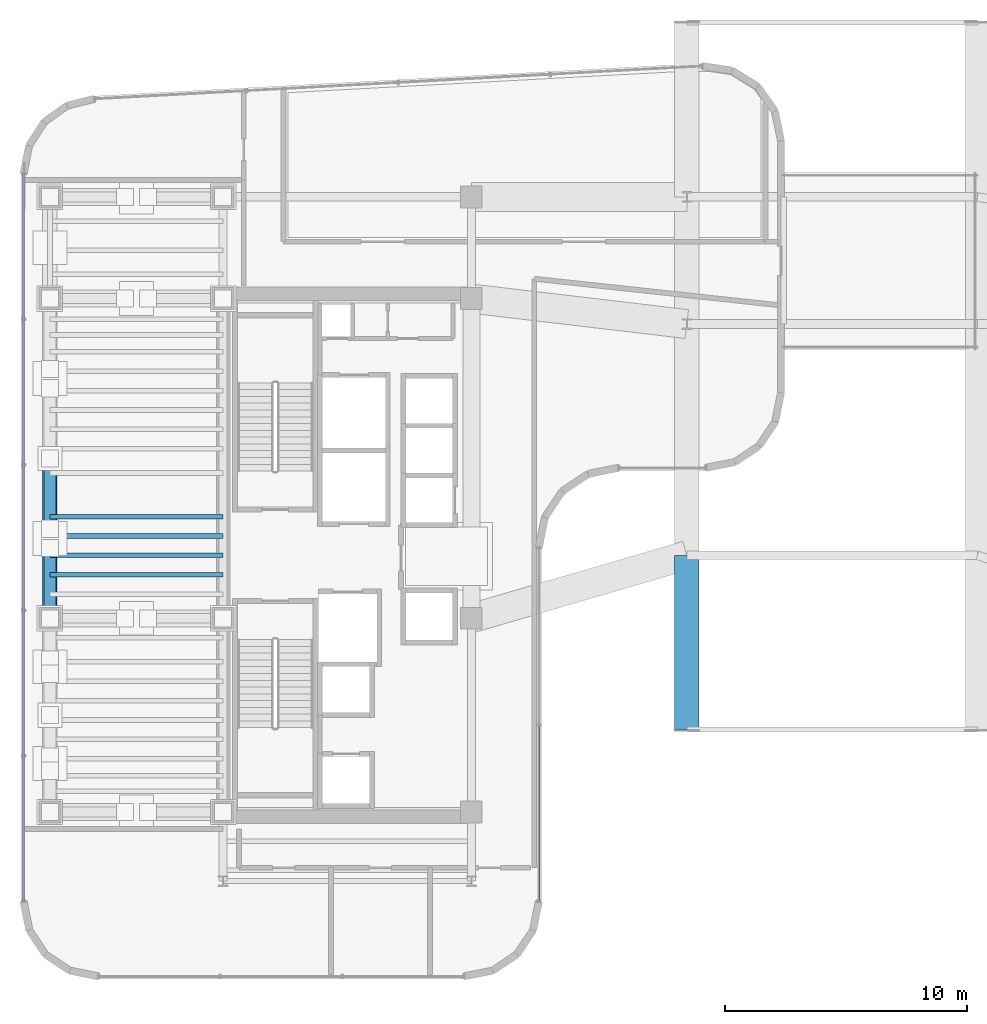
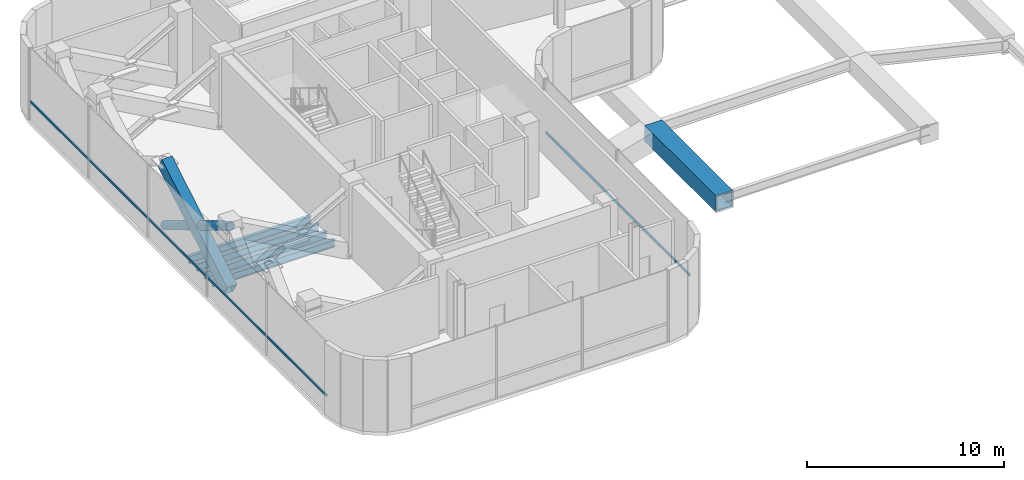
# One storey, part 6 of 20: 5 beams, 5 members, 2 elements without a shape of their own.
"""IFC4 building model written with IfcOpenShell, lengths in metres."""

from ifc_helpers import new_model, si_unit, direction, frame, origin, origin_2d, place, context, subcontext, project, spatial, hollow_rectangle, hollow_circle, i_section, extrude, source, transform, mapped, material, material_profile, profile_set, type_object, element, aggregate, save


model = new_model("IFC4")

# Units and contexts
model_context = context("Model", 3, precision=1e-05, world=origin(), true_north=direction((0.0, 1.0)))
body_context = subcontext(model_context, "Body", "Model", "MODEL_VIEW")
ifc_project = project(units=[si_unit("LENGTHUNIT", "METRE"), si_unit("AREAUNIT", "SQUARE_METRE"), si_unit("VOLUMEUNIT", "CUBIC_METRE"), si_unit("PLANEANGLEUNIT", "RADIAN"), si_unit("MASSUNIT", "GRAM", prefix="KILO")], contexts=[model_context])

# Site, building, storey
site_placement = place(None, origin())
site = spatial("IfcSite", under=ifc_project, at=site_placement, CompositionType="ELEMENT")
building_placement = place(site_placement, origin())
building = spatial("IfcBuilding", under=site, at=building_placement, Name="Valdorenza Pilgrim Sanctuary Tower", CompositionType="ELEMENT")
storey_placement = place(building_placement, frame((0.0, 0.0, 196.300048828125)))
storey = spatial("IfcBuildingStorey", under=building, at=storey_placement, Name="L50", CompositionType="ELEMENT", Elevation=196.300048828125)

# Beams
ifc_material_1 = material(Name="Steel ASTM A992 Grade 50", Category="steel")
ifc_material_profile_1 = material_profile(ifc_material_1, i_section(OverallWidth=0.19091796875, OverallDepth=0.45703125, WebThickness=0.009033203125, FlangeThickness=0.014404296875, at=origin_2d()), Name="W18X50")
ifc_profile_set_1 = profile_set([ifc_material_profile_1], Name="Steel ASTM A992 Grade 50")
beam_type_1 = type_object("IfcBeamType", Name="STR-BM-JST-W18B", PredefinedType="JOIST", material=ifc_profile_set_1)
shared_shape_1 = source(origin(), body_context, "Body", "SweptSolid", [
    extrude(i_section(OverallWidth=0.19091796875, OverallDepth=0.45703125, WebThickness=0.009033203125, FlangeThickness=0.014404296875, at=origin_2d()), origin(), (0.0, 0.0, 1.0), 7.150146484375),
])
for number, where, z_axis, x_axis, name in (
    (1, (-29.800048828125, -0.800048828125, -0.468505859375), (1.0, 0.0, 0.0), (0.0, 1.0, 0.0), "L50 Composite Floor Joist JST-WA-11"),
    (2, (-29.800048828125, 0.0, -0.468505859375), (1.0, 0.0, 0.0), (0.0, 1.0, 0.0), "L50 Composite Floor Joist JST-WA-12"),
    (3, (-29.800048828125, 0.800048828125, -0.468505859375), (1.0, 0.0, 0.0), (0.0, 1.0, 0.0), "L50 Composite Floor Joist JST-WA-13"),
    (4, (-29.800048828125, 1.60009765625, -0.468505859375), (1.0, 0.0, 0.0), (0.0, 1.0, 0.0), "L50 Composite Floor Joist JST-WA-14"),
):
    element("IfcBeam", number, at=place(storey_placement, frame(where, z_axis=z_axis, x_axis=x_axis)), inside=storey, type_object=beam_type_1, Name=name, PredefinedType="JOIST", context=body_context, shape_type="MappedRepresentation", body=[
        mapped(shared_shape_1, transform((0.0, 0.0, 0.0), x_axis=(1.0, 0.0, 0.0), y_axis=(0.0, 1.0, 0.0), z_axis=(0.0, 0.0, 1.0), scale=1.0)),
    ])
ifc_material_2 = material(Name="Steel ASTM A572 Grade 42", Category="steel")
ifc_material_profile_2 = material_profile(ifc_material_2, hollow_rectangle(XDim=1.0, YDim=1.0, WallThickness=0.080078125, at=origin_2d()), Name="BOX 1000x1000x80")
ifc_profile_set_2 = profile_set([ifc_material_profile_2], Name="Steel ASTM A572 Grade 42")
beam_type_2 = type_object("IfcBeamType", Name="STR-BM-PROW-CANT", PredefinedType="BEAM", material=ifc_profile_set_2)
shared_shape_2 = source(origin(), body_context, "Body", "SweptSolid", [
    extrude(hollow_rectangle(XDim=1.0, YDim=1.0, WallThickness=0.080078125, at=origin_2d()), origin(), (0.0, 0.0, 1.0), 7.199951171875),
])
beam_placement = place(storey_placement, frame((-3.5, 0.0, -0.739990234375), z_axis=(0.0, -1.0, 0.0), x_axis=(1.0, 0.0, 0.0)))
element("IfcBeam", 5, at=beam_placement, inside=storey, type_object=beam_type_2, Name="L50 South Sanctuary Prow Cantilever PROW-CANT-S-W", PredefinedType="BEAM", context=body_context, shape_type="MappedRepresentation", body=[
    mapped(shared_shape_2, transform((0.0, 0.0, 0.0), x_axis=(1.0, 0.0, 0.0), y_axis=(0.0, 1.0, 0.0), z_axis=(0.0, 0.0, 1.0), scale=1.0)),
])

# Members
ifc_material_profile_3 = material_profile(ifc_material_2, hollow_rectangle(XDim=0.60009765625, YDim=0.800048828125, WallThickness=0.06005859375, at=origin_2d()), Name="BOX 800x600x60")
ifc_profile_set_3 = profile_set([ifc_material_profile_3], Name="Steel ASTM A572 Grade 42")
member_type_1 = type_object("IfcMemberType", Name="STR-MB-BLT-BOX800", PredefinedType="BRACE", material=ifc_profile_set_3)
shared_shape_3 = source(origin(), body_context, "Body", "SweptSolid", [
    extrude(hollow_rectangle(XDim=0.60009765625, YDim=0.800048828125, WallThickness=0.06005859375, at=origin_2d()), origin(), (0.0, 0.0, 1.0), 7.69189453125),
])
member_1_placement = place(storey_placement, frame((-29.800048828125, -2.60009765625, 0.199951171875), z_axis=(0.0, 0.858072111864, 0.513529211284), x_axis=(-1.0, 0.0, 0.0)))
element("IfcMember", 6, at=member_1_placement, inside=storey, type_object=member_type_1, Name="L50 Perimeter Belt Truss Diagonal W3", PredefinedType="BRACE", context=body_context, shape_type="MappedRepresentation", body=[
    mapped(shared_shape_3, transform((0.0, 0.0, 0.0), x_axis=(1.0, 0.0, 0.0), y_axis=(0.0, 1.0, 0.0), z_axis=(0.0, 0.0, 1.0), scale=1.0)),
])
ifc_material_3 = material(Name="Steel S355J2", Category="steel")
ifc_material_profile_4 = material_profile(ifc_material_3, hollow_circle(Radius=0.25390625, WallThickness=0.02001953125, at=origin_2d()), Name="CHS 508x20")
ifc_profile_set_4 = profile_set([ifc_material_profile_4], Name="Steel S355J2")
member_type_2 = type_object("IfcMemberType", Name="STR-MB-CHS-508", PredefinedType="STRUT", material=ifc_profile_set_4)
shared_shape_4 = source(origin(), body_context, "Body", "SweptSolid", [
    extrude(hollow_circle(Radius=0.25390625, WallThickness=0.02001953125, at=origin_2d()), origin(), (0.0, 0.0, 1.0), 3.380126953125),
])
member_2_placement = place(storey_placement, frame((-29.800048828125, -2.60009765625, 4.14990234375), z_axis=(0.0, 0.858097793113, -0.513486297242), x_axis=(-1.0, 0.0, 0.0)))
element("IfcMember", 7, at=member_2_placement, inside=storey, type_object=member_type_2, Name="L50 Perimeter Counter-Belt Strut CW3 Lower Segment", PredefinedType="STRUT", context=body_context, shape_type="MappedRepresentation", body=[
    mapped(shared_shape_4, transform((0.0, 0.0, 0.0), x_axis=(1.0, 0.0, 0.0), y_axis=(0.0, 1.0, 0.0), z_axis=(0.0, 0.0, 1.0), scale=1.0)),
])
shared_shape_5 = source(origin(), body_context, "Body", "SweptSolid", [
    extrude(hollow_circle(Radius=0.25390625, WallThickness=0.02001953125, at=origin_2d()), origin(), (0.0, 0.0, 1.0), 3.3798828125),
])
member_3_placement = place(storey_placement, frame((-29.800048828125, 1.099853515625, 1.935546875), z_axis=(0.0, 0.85807874647, -0.51351812515), x_axis=(-1.0, 0.0, 0.0)))
element("IfcMember", 8, at=member_3_placement, inside=storey, type_object=member_type_2, Name="L50 Perimeter Counter-Belt Strut CW3 Upper Segment", PredefinedType="STRUT", context=body_context, shape_type="MappedRepresentation", body=[
    mapped(shared_shape_5, transform((0.0, 0.0, 0.0), x_axis=(1.0, 0.0, 0.0), y_axis=(0.0, 1.0, 0.0), z_axis=(0.0, 0.0, 1.0), scale=1.0)),
])

# Curtain wall, member
ifc_material_4 = material(Name="Curtain-wall IGU glazing", Category="glass")
curtain_wall_type = type_object("IfcCurtainWallType", Name="CW-SYS-02", PredefinedType="NOTDEFINED", material=ifc_material_4)
curtain_wall_1_placement = place(storey_placement, origin())
curtain_wall_1 = element("IfcCurtainWall", 9, at=curtain_wall_1_placement, inside=storey, type_object=curtain_wall_type, Name="L50 Curtain Wall CW-L50-1-1", PredefinedType="NOTDEFINED")
ifc_material_5 = material(Name="Anodised aluminium AW-6060", Category="aluminium")
ifc_material_profile_5 = material_profile(ifc_material_5, hollow_rectangle(XDim=0.074951171875, YDim=0.14990234375, WallThickness=0.00390625, at=origin_2d()), Name="ALU-T 150x75x4")
ifc_profile_set_5 = profile_set([ifc_material_profile_5], Name="Anodised aluminium AW-6060")
member_type_3 = type_object("IfcMemberType", Name="CW-TRN-02", PredefinedType="USERDEFINED", material=ifc_profile_set_5)
shared_shape_6 = source(origin(), body_context, "Body", "SweptSolid", [
    extrude(hollow_rectangle(XDim=0.074951171875, YDim=0.14990234375, WallThickness=0.00390625, at=origin_2d()), origin(), (0.0, 0.0, 1.0), 30.046875),
])
member_4_placement = place(storey_placement, frame((-30.889892578125, -14.289306640625, 1.119873046875), z_axis=(0.0, 1.0, 0.0), x_axis=(-1.0, 0.0, 0.0)))
member_4 = element("IfcMember", 10, at=member_4_placement, type_object=member_type_3, Name="CW-L50-1-1 Transom 1", ObjectType="TRANSOM", PredefinedType="USERDEFINED", context=body_context, shape_type="MappedRepresentation", body=[
    mapped(shared_shape_6, transform((0.0, 0.0, 0.0), x_axis=(1.0, 0.0, 0.0), y_axis=(0.0, 1.0, 0.0), z_axis=(0.0, 0.0, 1.0), scale=1.0)),
])
aggregate(curtain_wall_1, [member_4])

curtain_wall_2_placement = place(storey_placement, origin())
curtain_wall_2 = element("IfcCurtainWall", 11, at=curtain_wall_2_placement, inside=storey, type_object=curtain_wall_type, Name="L50 Curtain Wall CW-L50-1-21", PredefinedType="NOTDEFINED")
shared_shape_7 = source(origin(), body_context, "Body", "SweptSolid", [
    extrude(hollow_rectangle(XDim=0.074951171875, YDim=0.14990234375, WallThickness=0.00390625, at=origin_2d()), origin(), (0.0, 0.0, 1.0), 14.60009765625),
])
member_5_placement = place(storey_placement, frame((-9.610107421875, 0.310791015625, 1.119873046875), z_axis=(0.0, -1.0, 0.0), x_axis=(1.0, 0.0, 0.0)))
member_5 = element("IfcMember", 12, at=member_5_placement, type_object=member_type_3, Name="CW-L50-1-21 Transom 1", ObjectType="TRANSOM", PredefinedType="USERDEFINED", context=body_context, shape_type="MappedRepresentation", body=[
    mapped(shared_shape_7, transform((0.0, 0.0, 0.0), x_axis=(1.0, 0.0, 0.0), y_axis=(0.0, 1.0, 0.0), z_axis=(0.0, 0.0, 1.0), scale=1.0)),
])
aggregate(curtain_wall_2, [member_5])

save(model, "model.ifc")
